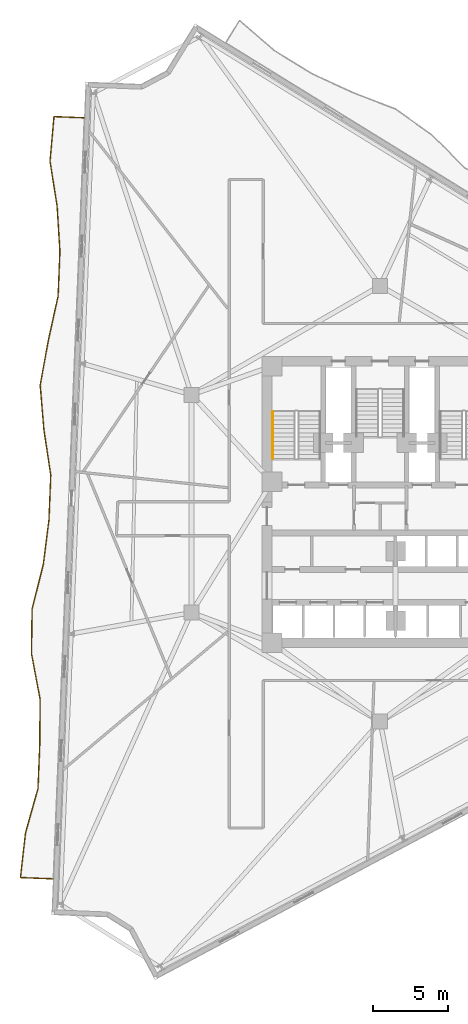
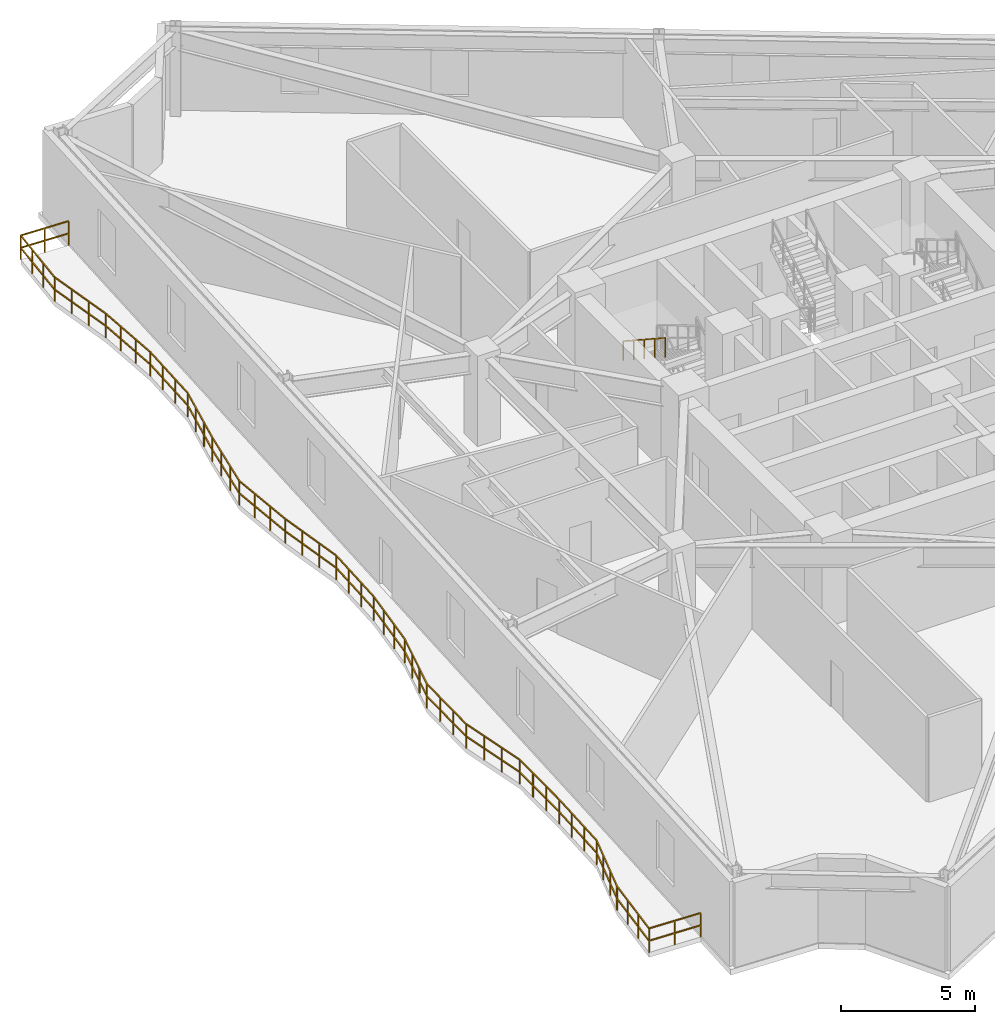
# One storey, part 8 of 10: 2 railings.
"""IFC4 building model written with IfcOpenShell, lengths in metres."""

import ifcopenshell
import ifcopenshell.guid

model = None  # the IFC model being written
_history = None  # IfcOwnerHistory: only IFC2X3 demands one
_inside = {}  # id of a spatial element -> (the spatial element, [elements in it])
_under = {}  # id of a project, library or spatial element -> (it, [spatial elements below it])
_declared = {}  # id of a project -> (the project, [libraries it declares])
_typed = {}  # id of a type object -> (the type object, [elements of that type])
_made_of = {}  # id of a material, layer set ... -> (it, [elements and type objects made of it])


def new_model(schema):
    """Start an empty IFC model of exactly this schema.

    Asked for "IFC4X3", IfcOpenShell would pick the latest addendum, in which some entities
    have other attributes; the version numbers below select the first issue.
    IFC2X3 requires an IfcOwnerHistory on every rooted entity: one is made here for all.
    """
    global model, _history
    if schema == "IFC4X3":
        model = ifcopenshell.file(schema_version=(4, 3, 0, 0))
    else:
        model = ifcopenshell.file(schema=schema)
    _inside.clear()
    _under.clear()
    _declared.clear()
    _typed.clear()
    _made_of.clear()
    _history = None
    if model.schema == "IFC2X3":
        org = make("IfcOrganization", Name="unknown")
        user = make(
            "IfcPersonAndOrganization",
            ThePerson=make("IfcPerson", FamilyName="unknown"),
            TheOrganization=org,
        )
        app = make(
            "IfcApplication",
            ApplicationDeveloper=org,
            Version="unknown",
            ApplicationFullName="unknown",
            ApplicationIdentifier="unknown",
        )
        _history = make(
            "IfcOwnerHistory",
            OwningUser=user,
            OwningApplication=app,
            ChangeAction="ADDED",
            CreationDate=0,
        )
    return model


def make(cls, **values):
    """One entity of the class cls with the attributes given. An attribute that is None is left unset."""
    return model.create_entity(
        cls, **{name: value for name, value in values.items() if value is not None}
    )


def rooted(cls, **values):
    """An entity with a GlobalId (a new one), such as an element, a storey or a relation."""
    return make(cls, GlobalId=ifcopenshell.guid.new(), OwnerHistory=_history, **values)


def si_unit(unit_type, name, prefix=None):
    """IfcSIUnit, for example si_unit("LENGTHUNIT", "METRE", prefix="MILLI")."""
    return make("IfcSIUnit", UnitType=unit_type, Prefix=prefix, Name=name)


def assignment(units):
    """IfcUnitAssignment: the units of a project."""
    return None if units is None else make("IfcUnitAssignment", Units=units)


def point(xyz):
    """IfcCartesianPoint."""
    return None if xyz is None else make("IfcCartesianPoint", Coordinates=xyz)


def direction(xyz):
    """IfcDirection."""
    return None if xyz is None else make("IfcDirection", DirectionRatios=xyz)


def frame(location, z_axis=None, x_axis=None):
    """IfcAxis2Placement3D, a coordinate frame: its origin and axes. An axis left out is left unset."""
    return make(
        "IfcAxis2Placement3D",
        Location=point(location),
        Axis=direction(z_axis),
        RefDirection=direction(x_axis),
    )


def frame_2d(location, x_axis=None):
    """IfcAxis2Placement2D, a coordinate frame in the plane: its origin and x axis."""
    return make(
        "IfcAxis2Placement2D", Location=point(location), RefDirection=direction(x_axis)
    )


def origin():
    """The frame at (0, 0, 0) with its axes left unset."""
    return frame((0.0, 0.0, 0.0))


def origin_2d():
    """The frame at (0, 0) in the plane with its x axis left unset."""
    return frame_2d((0.0, 0.0))


def place(relative_to, where):
    """IfcLocalPlacement: puts the frame where relative to a parent placement (None: the world)."""
    return make(
        "IfcLocalPlacement", PlacementRelTo=relative_to, RelativePlacement=where
    )


def context(
    kind, dimensions, precision=None, world=None, true_north=None, identifier=None
):
    """IfcGeometricRepresentationContext, for example the 3D "Model" context."""
    return make(
        "IfcGeometricRepresentationContext",
        ContextIdentifier=identifier,
        ContextType=kind,
        CoordinateSpaceDimension=dimensions,
        Precision=precision,
        WorldCoordinateSystem=world,
        TrueNorth=true_north,
    )


def subcontext(parent, identifier, kind, view, scale=None):
    """IfcGeometricRepresentationSubContext, for example "Body" below "Model"."""
    return make(
        "IfcGeometricRepresentationSubContext",
        ContextIdentifier=identifier,
        ContextType=kind,
        ParentContext=parent,
        TargetScale=scale,
        TargetView=view,
    )


def project(units=None, contexts=None):
    """IfcProject with its units and contexts."""
    return rooted(
        "IfcProject",
        Name="project",
        RepresentationContexts=contexts,
        UnitsInContext=assignment(units),
    )


def spatial(cls, under=None, at=None, **own):
    """A site, building, storey or space (cls), placed at a placement, below another one or the project."""
    s = rooted(cls, ObjectPlacement=at, **own)
    if under is not None:
        _under.setdefault(under.id(), (under, []))[1].append(s)
    return s


def profile(cls, at=None, kind="AREA", **sizes):
    """A parametric profile (cls). Its sizes go by their IFC names, for example OverallWidth=200.0."""
    return make(cls, ProfileType=kind, Position=at, **sizes)


def rectangle(**sizes):
    """IfcRectangleProfileDef."""
    return profile("IfcRectangleProfileDef", **sizes)


def extrude(swept, where, along, depth):
    """IfcExtrudedAreaSolid: the profile swept, set in the frame where, extruded along a direction by depth."""
    return make(
        "IfcExtrudedAreaSolid",
        SweptArea=swept,
        Position=where,
        ExtrudedDirection=direction(along),
        Depth=depth,
    )


def shape(context_of_items, identifier, shape_type, items):
    """IfcShapeRepresentation: the items that make up one representation, for example the "Body"."""
    return make(
        "IfcShapeRepresentation",
        ContextOfItems=context_of_items,
        RepresentationIdentifier=identifier,
        RepresentationType=shape_type,
        Items=items,
    )


def material(Name=None, Category=None):
    """IfcMaterial."""
    return make("IfcMaterial", Name=Name, Category=Category)


def made_of(thing, what):
    """Note that an element or type object is made of a material, layer set ...; save() writes the relation."""
    if what is not None:
        _made_of.setdefault(what.id(), (what, []))[1].append(thing)
    return thing


def type_object(cls, material=None, **own):
    """A type object (cls), such as IfcWallType, which elements share."""
    return made_of(rooted(cls, **own), material)


def element(
    cls,
    number,
    at=None,
    inside=None,
    cuts=None,
    type_object=None,
    material=None,
    context=None,
    identifier="Body",
    shape_type=None,
    held_by="IfcProductDefinitionShape",
    body=None,
    shapes=None,
    **own,
):
    """One element of the class cls, such as IfcWall. Its Tag is "e" and its number.

    at: its placement. inside: the storey or other place that contains it. cuts: it is an
    opening in that element (IfcRelVoidsElement). A single representation is given by context,
    identifier, shape_type and body (its items); several are given by shapes. held_by: the class
    of the entity that holds the representations. save() writes the other relations.
    """
    e = rooted(cls, Tag="e%d" % number, ObjectPlacement=at, **own)
    if body is not None:
        shapes = [shape(context, identifier, shape_type, body)]
    if shapes is not None:
        e.Representation = make(held_by, Representations=shapes)
    if inside is not None:
        _inside.setdefault(inside.id(), (inside, []))[1].append(e)
    if cuts is not None:
        rooted(
            "IfcRelVoidsElement", RelatingBuildingElement=cuts, RelatedOpeningElement=e
        )
    if type_object is not None:
        _typed.setdefault(type_object.id(), (type_object, []))[1].append(e)
    return made_of(e, material)


def aggregate(whole, parts):
    """IfcRelAggregates: a whole, such as a stair, and the parts it consists of."""
    return rooted("IfcRelAggregates", RelatingObject=whole, RelatedObjects=parts)


def save(model, path):
    """Write the relations noted so far, then the file.

    IfcRelAggregates (storeys below a building ...), IfcRelContainedInSpatialStructure (elements
    in a storey), IfcRelDefinesByType, IfcRelAssociatesMaterial and IfcRelDeclares: one each for
    every whole, place, type object, material and project.
    """
    for whole, parts in _under.values():
        aggregate(whole, parts)
    for where, things in _inside.values():
        rooted(
            "IfcRelContainedInSpatialStructure",
            RelatedElements=things,
            RelatingStructure=where,
        )
    for kind, things in _typed.values():
        rooted("IfcRelDefinesByType", RelatedObjects=things, RelatingType=kind)
    for what, things in _made_of.values():
        rooted("IfcRelAssociatesMaterial", RelatedObjects=things, RelatingMaterial=what)
    for by, libraries in _declared.values():
        rooted("IfcRelDeclares", RelatingContext=by, RelatedDefinitions=libraries)
    model.write(path)


model = new_model("IFC4")

# Units and contexts
model_context = context("Model", 3, precision=1e-05, world=origin(), true_north=direction((0.0, 1.0)))
body_context = subcontext(model_context, "Body", "Model", "MODEL_VIEW")
ifc_project = project(units=[si_unit("LENGTHUNIT", "METRE"), si_unit("AREAUNIT", "SQUARE_METRE"), si_unit("VOLUMEUNIT", "CUBIC_METRE"), si_unit("PLANEANGLEUNIT", "RADIAN"), si_unit("MASSUNIT", "GRAM", prefix="KILO")], contexts=[model_context])

# Site, building, storey
site_placement = place(None, origin())
site = spatial("IfcSite", under=ifc_project, at=site_placement, CompositionType="ELEMENT")
building_placement = place(site_placement, origin())
building = spatial("IfcBuilding", under=site, at=building_placement, Name="Apsidion Concourse Tower", CompositionType="ELEMENT")
storey_placement = place(building_placement, frame((0.0, 0.0, 177.800048828125)))
storey = spatial("IfcBuildingStorey", under=building, at=storey_placement, Name="L41", CompositionType="ELEMENT", Elevation=177.800048828125)

# Railings
ifc_material = material(Name="Brushed stainless steel 316", Category="steel")
railing_type_1 = type_object("IfcRailingType", Name="RL-BAL-1120", PredefinedType="BALUSTRADE", material=ifc_material)
railing_1_placement = place(storey_placement, frame((-21.777587890625, -24.97802734375, 0.0)))
element("IfcRailing", 1, at=railing_1_placement, inside=storey, type_object=railing_type_1, Name="L41 Face 1 Rippling Balcony Balustrade", PredefinedType="BALUSTRADE", context=body_context, shape_type="SweptSolid", body=[
    extrude(rectangle(XDim=0.048095703125, YDim=0.048095703125, at=origin_2d()), frame((0.0, 0.0, 1.09619140625), z_axis=(-0.999169266347, 0.040752634122, 0.0), x_axis=(-0.040752634122, -0.999169266347, 0.0)), (0.0, 0.0, 1.0), 2.174560546875),
    extrude(rectangle(XDim=0.048095703125, YDim=0.048095703125, at=origin_2d()), frame((0.0, 0.0, 0.5361328125), z_axis=(-0.999169266347, 0.040752634122, 0.0), x_axis=(-0.040752634122, -0.999169266347, 0.0)), (0.0, 0.0, 1.0), 2.174560546875),
    extrude(rectangle(XDim=0.048095703125, YDim=0.048095703125, at=origin_2d()), frame((-2.1728515625, 0.088623046875, 1.09619140625), z_axis=(0.113136795699, 0.993579420811, 0.0), x_axis=(-0.993579420811, 0.113136795699, 0.0)), (0.0, 0.0, 1.0), 2.990966796875),
    extrude(rectangle(XDim=0.048095703125, YDim=0.048095703125, at=origin_2d()), frame((-2.1728515625, 0.088623046875, 0.5361328125), z_axis=(0.113136795699, 0.993579420811, 0.0), x_axis=(-0.993579420811, 0.113136795699, 0.0)), (0.0, 0.0, 1.0), 2.990966796875),
    extrude(rectangle(XDim=0.048095703125, YDim=0.048095703125, at=origin_2d()), frame((-1.83447265625, 3.060302734375, 1.09619140625), z_axis=(0.270427325852, 0.962740391504, 0.0), x_axis=(-0.962740391504, 0.270427325852, 0.0)), (0.0, 0.0, 1.0), 3.06591796875),
    extrude(rectangle(XDim=0.048095703125, YDim=0.048095703125, at=origin_2d()), frame((-1.83447265625, 3.060302734375, 0.5361328125), z_axis=(0.270427325852, 0.962740391504, 0.0), x_axis=(-0.962740391504, 0.270427325852, 0.0)), (0.0, 0.0, 1.0), 3.06591796875),
    extrude(rectangle(XDim=0.048095703125, YDim=0.048095703125, at=origin_2d()), frame((-1.00537109375, 6.011962890625, 1.09619140625), z_axis=(0.040840733039, 0.999165669209, 0.0), x_axis=(-0.999165669209, 0.040840733039, 0.0)), (0.0, 0.0, 1.0), 2.98291015625),
    extrude(rectangle(XDim=0.048095703125, YDim=0.048095703125, at=origin_2d()), frame((-1.00537109375, 6.011962890625, 0.5361328125), z_axis=(0.040840733039, 0.999165669209, 0.0), x_axis=(-0.999165669209, 0.040840733039, 0.0)), (0.0, 0.0, 1.0), 2.98291015625),
    extrude(rectangle(XDim=0.048095703125, YDim=0.048095703125, at=origin_2d()), frame((-0.883544921875, 8.992431640625, 1.09619140625), z_axis=(0.005807673015, 0.999983135325, 0.0), x_axis=(-0.999983135325, 0.005807673015, 0.0)), (0.0, 0.0, 1.0), 2.984619140625),
    extrude(rectangle(XDim=0.048095703125, YDim=0.048095703125, at=origin_2d()), frame((-0.883544921875, 8.992431640625, 0.5361328125), z_axis=(0.005807673015, 0.999983135325, 0.0), x_axis=(-0.999983135325, 0.005807673015, 0.0)), (0.0, 0.0, 1.0), 2.984619140625),
    extrude(rectangle(XDim=0.048095703125, YDim=0.048095703125, at=origin_2d()), frame((-0.8662109375, 11.97705078125, 1.09619140625), z_axis=(-0.185617039499, 0.982622162709, 0.0), x_axis=(-0.982622162709, -0.185617039499, 0.0)), (0.0, 0.0, 1.0), 3.06201171875),
    extrude(rectangle(XDim=0.048095703125, YDim=0.048095703125, at=origin_2d()), frame((-0.8662109375, 11.97705078125, 0.5361328125), z_axis=(-0.185617039499, 0.982622162709, 0.0), x_axis=(-0.982622162709, -0.185617039499, 0.0)), (0.0, 0.0, 1.0), 3.06201171875),
    extrude(rectangle(XDim=0.048095703125, YDim=0.048095703125, at=origin_2d()), frame((-1.4345703125, 14.98583984375, 1.09619140625), z_axis=(0.012190224904, 0.999925696448, 0.0), x_axis=(-0.999925696448, 0.012190224904, 0.0)), (0.0, 0.0, 1.0), 2.984130859375),
    extrude(rectangle(XDim=0.048095703125, YDim=0.048095703125, at=origin_2d()), frame((-1.4345703125, 14.98583984375, 0.5361328125), z_axis=(0.012190224904, 0.999925696448, 0.0), x_axis=(-0.999925696448, 0.012190224904, 0.0)), (0.0, 0.0, 1.0), 2.984130859375),
    extrude(rectangle(XDim=0.048095703125, YDim=0.048095703125, at=origin_2d()), frame((-1.398193359375, 17.9697265625, 1.09619140625), z_axis=(0.244495466679, 0.969650435349, 0.0), x_axis=(-0.969650435349, 0.244495466679, 0.0)), (0.0, 0.0, 1.0), 3.047607421875),
    extrude(rectangle(XDim=0.048095703125, YDim=0.048095703125, at=origin_2d()), frame((-1.398193359375, 17.9697265625, 0.5361328125), z_axis=(0.244495466679, 0.969650435349, 0.0), x_axis=(-0.969650435349, 0.244495466679, 0.0)), (0.0, 0.0, 1.0), 3.047607421875),
    extrude(rectangle(XDim=0.048095703125, YDim=0.048095703125, at=origin_2d()), frame((-0.653076171875, 20.9248046875, 1.09619140625), z_axis=(0.126312639311, 0.991990482389, 0.0), x_axis=(-0.991990482389, 0.126312639311, 0.0)), (0.0, 0.0, 1.0), 2.993896484375),
    extrude(rectangle(XDim=0.048095703125, YDim=0.048095703125, at=origin_2d()), frame((-0.653076171875, 20.9248046875, 0.5361328125), z_axis=(0.126312639311, 0.991990482389, 0.0), x_axis=(-0.991990482389, 0.126312639311, 0.0)), (0.0, 0.0, 1.0), 2.993896484375),
    extrude(rectangle(XDim=0.048095703125, YDim=0.048095703125, at=origin_2d()), frame((-0.27490234375, 23.894775390625, 1.09619140625), z_axis=(0.040759023988, 0.999169005706, 0.0), x_axis=(-0.999169005706, 0.040759023988, 0.0)), (0.0, 0.0, 1.0), 2.98291015625),
    extrude(rectangle(XDim=0.048095703125, YDim=0.048095703125, at=origin_2d()), frame((-0.27490234375, 23.894775390625, 0.5361328125), z_axis=(0.040759023988, 0.999169005706, 0.0), x_axis=(-0.999169005706, 0.040759023988, 0.0)), (0.0, 0.0, 1.0), 2.98291015625),
    extrude(rectangle(XDim=0.048095703125, YDim=0.048095703125, at=origin_2d()), frame((-0.1533203125, 26.875244140625, 1.09619140625), z_axis=(-0.149460219073, 0.988767739621, 0.0), x_axis=(-0.988767739621, -0.149460219073, 0.0)), (0.0, 0.0, 1.0), 3.038330078125),
    extrude(rectangle(XDim=0.048095703125, YDim=0.048095703125, at=origin_2d()), frame((-0.1533203125, 26.875244140625, 0.5361328125), z_axis=(-0.149460219073, 0.988767739621, 0.0), x_axis=(-0.988767739621, -0.149460219073, 0.0)), (0.0, 0.0, 1.0), 3.038330078125),
    extrude(rectangle(XDim=0.048095703125, YDim=0.048095703125, at=origin_2d()), frame((-0.607421875, 29.87939453125, 1.09619140625), z_axis=(-0.083489073843, 0.996508692661, 0.0), x_axis=(-0.996508692661, -0.083489073843, 0.0)), (0.0, 0.0, 1.0), 3.006103515625),
    extrude(rectangle(XDim=0.048095703125, YDim=0.048095703125, at=origin_2d()), frame((-0.607421875, 29.87939453125, 0.5361328125), z_axis=(-0.083489073843, 0.996508692661, 0.0), x_axis=(-0.996508692661, -0.083489073843, 0.0)), (0.0, 0.0, 1.0), 3.006103515625),
    extrude(rectangle(XDim=0.048095703125, YDim=0.048095703125, at=origin_2d()), frame((-0.8583984375, 32.875, 1.09619140625), z_axis=(0.17999071628, 0.98366830896, 0.0), x_axis=(-0.98366830896, 0.17999071628, 0.0)), (0.0, 0.0, 1.0), 3.0126953125),
    extrude(rectangle(XDim=0.048095703125, YDim=0.048095703125, at=origin_2d()), frame((-0.8583984375, 32.875, 0.5361328125), z_axis=(0.17999071628, 0.98366830896, 0.0), x_axis=(-0.98366830896, 0.17999071628, 0.0)), (0.0, 0.0, 1.0), 3.0126953125),
    extrude(rectangle(XDim=0.048095703125, YDim=0.048095703125, at=origin_2d()), frame((-0.316162109375, 35.83837890625, 1.09619140625), z_axis=(0.214523554999, 0.976718815397, 0.0), x_axis=(-0.976718815397, 0.214523554999, 0.0)), (0.0, 0.0, 1.0), 3.029541015625),
    extrude(rectangle(XDim=0.048095703125, YDim=0.048095703125, at=origin_2d()), frame((-0.316162109375, 35.83837890625, 0.5361328125), z_axis=(0.214523554999, 0.976718815397, 0.0), x_axis=(-0.976718815397, 0.214523554999, 0.0)), (0.0, 0.0, 1.0), 3.029541015625),
    extrude(rectangle(XDim=0.048095703125, YDim=0.048095703125, at=origin_2d()), frame((0.333740234375, 38.79736328125, 1.09619140625), z_axis=(0.040840733039, 0.999165669209, 0.0), x_axis=(-0.999165669209, 0.040840733039, 0.0)), (0.0, 0.0, 1.0), 2.98291015625),
    extrude(rectangle(XDim=0.048095703125, YDim=0.048095703125, at=origin_2d()), frame((0.333740234375, 38.79736328125, 0.5361328125), z_axis=(0.040840733039, 0.999165669209, 0.0), x_axis=(-0.999165669209, 0.040840733039, 0.0)), (0.0, 0.0, 1.0), 2.98291015625),
    extrude(rectangle(XDim=0.048095703125, YDim=0.048095703125, at=origin_2d()), frame((0.45556640625, 41.77783203125, 1.09619140625), z_axis=(-0.062281982502, 0.998058592797, 0.0), x_axis=(-0.998058592797, -0.062281982502, 0.0)), (0.0, 0.0, 1.0), 2.998779296875),
    extrude(rectangle(XDim=0.048095703125, YDim=0.048095703125, at=origin_2d()), frame((0.45556640625, 41.77783203125, 0.5361328125), z_axis=(-0.062281982502, 0.998058592797, 0.0), x_axis=(-0.998058592797, -0.062281982502, 0.0)), (0.0, 0.0, 1.0), 2.998779296875),
    extrude(rectangle(XDim=0.048095703125, YDim=0.048095703125, at=origin_2d()), frame((0.268798828125, 44.770751953125, 1.09619140625), z_axis=(-0.154915542292, 0.987927717374, 0.0), x_axis=(-0.987927717374, -0.154915542292, 0.0)), (0.0, 0.0, 1.0), 3.04150390625),
    extrude(rectangle(XDim=0.048095703125, YDim=0.048095703125, at=origin_2d()), frame((0.268798828125, 44.770751953125, 0.5361328125), z_axis=(-0.154915542292, 0.987927717374, 0.0), x_axis=(-0.987927717374, -0.154915542292, 0.0)), (0.0, 0.0, 1.0), 3.04150390625),
    extrude(rectangle(XDim=0.048095703125, YDim=0.048095703125, at=origin_2d()), frame((-0.202392578125, 47.775634765625, 1.09619140625), z_axis=(0.08845687525, 0.99608000744, 0.0), x_axis=(-0.99608000744, 0.08845687525, 0.0)), (0.0, 0.0, 1.0), 2.986328125),
    extrude(rectangle(XDim=0.048095703125, YDim=0.048095703125, at=origin_2d()), frame((-0.202392578125, 47.775634765625, 0.5361328125), z_axis=(0.08845687525, 0.99608000744, 0.0), x_axis=(-0.99608000744, 0.08845687525, 0.0)), (0.0, 0.0, 1.0), 2.986328125),
    extrude(rectangle(XDim=0.048095703125, YDim=0.048095703125, at=origin_2d()), frame((0.061767578125, 50.750244140625, 1.09619140625), z_axis=(0.999166435764, -0.040821975002, 0.0), x_axis=(0.040821975002, 0.999166435764, 0.0)), (0.0, 0.0, 1.0), 2.009521484375),
    extrude(rectangle(XDim=0.048095703125, YDim=0.048095703125, at=origin_2d()), frame((0.061767578125, 50.750244140625, 0.5361328125), z_axis=(0.999166435764, -0.040821975002, 0.0), x_axis=(0.040821975002, 0.999166435764, 0.0)), (0.0, 0.0, 1.0), 2.009521484375),
    extrude(rectangle(XDim=0.0419921875, YDim=0.0419921875, at=origin_2d()), origin(), (0.0, 0.0, 1.0), 1.072021484375),
    extrude(rectangle(XDim=0.0419921875, YDim=0.0419921875, at=origin_2d()), frame((-1.08642578125, 0.04443359375, 0.0)), (0.0, 0.0, 1.0), 1.072021484375),
    extrude(rectangle(XDim=0.0419921875, YDim=0.0419921875, at=origin_2d()), frame((-2.1728515625, 0.088623046875, 0.0)), (0.0, 0.0, 1.0), 1.072021484375),
    extrude(rectangle(XDim=0.0419921875, YDim=0.0419921875, at=origin_2d()), frame((-2.06005859375, 1.0791015625, 0.0)), (0.0, 0.0, 1.0), 1.072021484375),
    extrude(rectangle(XDim=0.0419921875, YDim=0.0419921875, at=origin_2d()), frame((-1.947265625, 2.06982421875, 0.0)), (0.0, 0.0, 1.0), 1.072021484375),
    extrude(rectangle(XDim=0.0419921875, YDim=0.0419921875, at=origin_2d()), frame((-1.83447265625, 3.060302734375, 0.0)), (0.0, 0.0, 1.0), 1.072021484375),
    extrude(rectangle(XDim=0.0419921875, YDim=0.0419921875, at=origin_2d()), frame((-1.55810546875, 4.044189453125, 0.0)), (0.0, 0.0, 1.0), 1.072021484375),
    extrude(rectangle(XDim=0.0419921875, YDim=0.0419921875, at=origin_2d()), frame((-1.28173828125, 5.028076171875, 0.0)), (0.0, 0.0, 1.0), 1.072021484375),
    extrude(rectangle(XDim=0.0419921875, YDim=0.0419921875, at=origin_2d()), frame((-1.00537109375, 6.011962890625, 0.0)), (0.0, 0.0, 1.0), 1.072021484375),
    extrude(rectangle(XDim=0.0419921875, YDim=0.0419921875, at=origin_2d()), frame((-0.96484375, 7.00537109375, 0.0)), (0.0, 0.0, 1.0), 1.072021484375),
    extrude(rectangle(XDim=0.0419921875, YDim=0.0419921875, at=origin_2d()), frame((-0.924072265625, 7.9990234375, 0.0)), (0.0, 0.0, 1.0), 1.072021484375),
    extrude(rectangle(XDim=0.0419921875, YDim=0.0419921875, at=origin_2d()), frame((-0.883544921875, 8.992431640625, 0.0)), (0.0, 0.0, 1.0), 1.072021484375),
    extrude(rectangle(XDim=0.0419921875, YDim=0.0419921875, at=origin_2d()), frame((-0.877685546875, 9.9873046875, 0.0)), (0.0, 0.0, 1.0), 1.072021484375),
    extrude(rectangle(XDim=0.0419921875, YDim=0.0419921875, at=origin_2d()), frame((-0.8720703125, 10.982177734375, 0.0)), (0.0, 0.0, 1.0), 1.072021484375),
    extrude(rectangle(XDim=0.0419921875, YDim=0.0419921875, at=origin_2d()), frame((-0.8662109375, 11.97705078125, 0.0)), (0.0, 0.0, 1.0), 1.072021484375),
    extrude(rectangle(XDim=0.0419921875, YDim=0.0419921875, at=origin_2d()), frame((-1.0556640625, 12.97998046875, 0.0)), (0.0, 0.0, 1.0), 1.072021484375),
    extrude(rectangle(XDim=0.0419921875, YDim=0.0419921875, at=origin_2d()), frame((-1.2451171875, 13.98291015625, 0.0)), (0.0, 0.0, 1.0), 1.072021484375),
    extrude(rectangle(XDim=0.0419921875, YDim=0.0419921875, at=origin_2d()), frame((-1.4345703125, 14.98583984375, 0.0)), (0.0, 0.0, 1.0), 1.072021484375),
    extrude(rectangle(XDim=0.0419921875, YDim=0.0419921875, at=origin_2d()), frame((-1.42236328125, 15.98046875, 0.0)), (0.0, 0.0, 1.0), 1.072021484375),
    extrude(rectangle(XDim=0.0419921875, YDim=0.0419921875, at=origin_2d()), frame((-1.410400390625, 16.97509765625, 0.0)), (0.0, 0.0, 1.0), 1.072021484375),
    extrude(rectangle(XDim=0.0419921875, YDim=0.0419921875, at=origin_2d()), frame((-1.398193359375, 17.9697265625, 0.0)), (0.0, 0.0, 1.0), 1.072021484375),
    extrude(rectangle(XDim=0.0419921875, YDim=0.0419921875, at=origin_2d()), frame((-1.14990234375, 18.954833984375, 0.0)), (0.0, 0.0, 1.0), 1.072021484375),
    extrude(rectangle(XDim=0.0419921875, YDim=0.0419921875, at=origin_2d()), frame((-0.9013671875, 19.939697265625, 0.0)), (0.0, 0.0, 1.0), 1.072021484375),
    extrude(rectangle(XDim=0.0419921875, YDim=0.0419921875, at=origin_2d()), frame((-0.653076171875, 20.9248046875, 0.0)), (0.0, 0.0, 1.0), 1.072021484375),
    extrude(rectangle(XDim=0.0419921875, YDim=0.0419921875, at=origin_2d()), frame((-0.527099609375, 21.914794921875, 0.0)), (0.0, 0.0, 1.0), 1.072021484375),
    extrude(rectangle(XDim=0.0419921875, YDim=0.0419921875, at=origin_2d()), frame((-0.40087890625, 22.90478515625, 0.0)), (0.0, 0.0, 1.0), 1.072021484375),
    extrude(rectangle(XDim=0.0419921875, YDim=0.0419921875, at=origin_2d()), frame((-0.27490234375, 23.894775390625, 0.0)), (0.0, 0.0, 1.0), 1.072021484375),
    extrude(rectangle(XDim=0.0419921875, YDim=0.0419921875, at=origin_2d()), frame((-0.234375, 24.88818359375, 0.0)), (0.0, 0.0, 1.0), 1.072021484375),
    extrude(rectangle(XDim=0.0419921875, YDim=0.0419921875, at=origin_2d()), frame((-0.19384765625, 25.8818359375, 0.0)), (0.0, 0.0, 1.0), 1.072021484375),
    extrude(rectangle(XDim=0.0419921875, YDim=0.0419921875, at=origin_2d()), frame((-0.1533203125, 26.875244140625, 0.0)), (0.0, 0.0, 1.0), 1.072021484375),
    extrude(rectangle(XDim=0.0419921875, YDim=0.0419921875, at=origin_2d()), frame((-0.3046875, 27.876708984375, 0.0)), (0.0, 0.0, 1.0), 1.072021484375),
    extrude(rectangle(XDim=0.0419921875, YDim=0.0419921875, at=origin_2d()), frame((-0.4560546875, 28.8779296875, 0.0)), (0.0, 0.0, 1.0), 1.072021484375),
    extrude(rectangle(XDim=0.0419921875, YDim=0.0419921875, at=origin_2d()), frame((-0.607421875, 29.87939453125, 0.0)), (0.0, 0.0, 1.0), 1.072021484375),
    extrude(rectangle(XDim=0.0419921875, YDim=0.0419921875, at=origin_2d()), frame((-0.691162109375, 30.8779296875, 0.0)), (0.0, 0.0, 1.0), 1.072021484375),
    extrude(rectangle(XDim=0.0419921875, YDim=0.0419921875, at=origin_2d()), frame((-0.774658203125, 31.87646484375, 0.0)), (0.0, 0.0, 1.0), 1.072021484375),
    extrude(rectangle(XDim=0.0419921875, YDim=0.0419921875, at=origin_2d()), frame((-0.8583984375, 32.875, 0.0)), (0.0, 0.0, 1.0), 1.072021484375),
    extrude(rectangle(XDim=0.0419921875, YDim=0.0419921875, at=origin_2d()), frame((-0.677734375, 33.86279296875, 0.0)), (0.0, 0.0, 1.0), 1.072021484375),
    extrude(rectangle(XDim=0.0419921875, YDim=0.0419921875, at=origin_2d()), frame((-0.496826171875, 34.8505859375, 0.0)), (0.0, 0.0, 1.0), 1.072021484375),
    extrude(rectangle(XDim=0.0419921875, YDim=0.0419921875, at=origin_2d()), frame((-0.316162109375, 35.83837890625, 0.0)), (0.0, 0.0, 1.0), 1.072021484375),
    extrude(rectangle(XDim=0.0419921875, YDim=0.0419921875, at=origin_2d()), frame((-0.099609375, 36.82470703125, 0.0)), (0.0, 0.0, 1.0), 1.072021484375),
    extrude(rectangle(XDim=0.0419921875, YDim=0.0419921875, at=origin_2d()), frame((0.1171875, 37.81103515625, 0.0)), (0.0, 0.0, 1.0), 1.072021484375),
    extrude(rectangle(XDim=0.0419921875, YDim=0.0419921875, at=origin_2d()), frame((0.333740234375, 38.79736328125, 0.0)), (0.0, 0.0, 1.0), 1.072021484375),
    extrude(rectangle(XDim=0.0419921875, YDim=0.0419921875, at=origin_2d()), frame((0.374267578125, 39.790771484375, 0.0)), (0.0, 0.0, 1.0), 1.072021484375),
    extrude(rectangle(XDim=0.0419921875, YDim=0.0419921875, at=origin_2d()), frame((0.4150390625, 40.784423828125, 0.0)), (0.0, 0.0, 1.0), 1.072021484375),
    extrude(rectangle(XDim=0.0419921875, YDim=0.0419921875, at=origin_2d()), frame((0.45556640625, 41.77783203125, 0.0)), (0.0, 0.0, 1.0), 1.072021484375),
    extrude(rectangle(XDim=0.0419921875, YDim=0.0419921875, at=origin_2d()), frame((0.393310546875, 42.775390625, 0.0)), (0.0, 0.0, 1.0), 1.072021484375),
    extrude(rectangle(XDim=0.0419921875, YDim=0.0419921875, at=origin_2d()), frame((0.3310546875, 43.773193359375, 0.0)), (0.0, 0.0, 1.0), 1.072021484375),
    extrude(rectangle(XDim=0.0419921875, YDim=0.0419921875, at=origin_2d()), frame((0.268798828125, 44.770751953125, 0.0)), (0.0, 0.0, 1.0), 1.072021484375),
    extrude(rectangle(XDim=0.0419921875, YDim=0.0419921875, at=origin_2d()), frame((0.11181640625, 45.7724609375, 0.0)), (0.0, 0.0, 1.0), 1.072021484375),
    extrude(rectangle(XDim=0.0419921875, YDim=0.0419921875, at=origin_2d()), frame((-0.04541015625, 46.77392578125, 0.0)), (0.0, 0.0, 1.0), 1.072021484375),
    extrude(rectangle(XDim=0.0419921875, YDim=0.0419921875, at=origin_2d()), frame((-0.202392578125, 47.775634765625, 0.0)), (0.0, 0.0, 1.0), 1.072021484375),
    extrude(rectangle(XDim=0.0419921875, YDim=0.0419921875, at=origin_2d()), frame((-0.1142578125, 48.76708984375, 0.0)), (0.0, 0.0, 1.0), 1.072021484375),
    extrude(rectangle(XDim=0.0419921875, YDim=0.0419921875, at=origin_2d()), frame((-0.0263671875, 49.7587890625, 0.0)), (0.0, 0.0, 1.0), 1.072021484375),
    extrude(rectangle(XDim=0.0419921875, YDim=0.0419921875, at=origin_2d()), frame((0.061767578125, 50.750244140625, 0.0)), (0.0, 0.0, 1.0), 1.072021484375),
    extrude(rectangle(XDim=0.0419921875, YDim=0.0419921875, at=origin_2d()), frame((1.065673828125, 50.709228515625, 0.0)), (0.0, 0.0, 1.0), 1.072021484375),
    extrude(rectangle(XDim=0.0419921875, YDim=0.0419921875, at=origin_2d()), frame((2.069580078125, 50.668212890625, 0.0)), (0.0, 0.0, 1.0), 1.072021484375),
])
railing_type_2 = type_object("IfcRailingType", Name="RL-HAND-900", PredefinedType="HANDRAIL", material=ifc_material)
railing_2_placement = place(storey_placement, frame((-7.14990234375, 6.135009765625, 2.220703125)))
element("IfcRailing", 2, at=railing_2_placement, inside=storey, type_object=railing_type_2, Name="L41 ST1 stair handrail 2", PredefinedType="HANDRAIL", context=body_context, shape_type="SweptSolid", body=[
    extrude(rectangle(XDim=0.048095703125, YDim=0.048095703125, at=origin_2d()), frame((0.0, 0.0, 0.8759765625), z_axis=(0.0, -0.836940907821, 0.547293263996), x_axis=(1.0, 0.0, 0.0)), (0.0, 0.0, 1.0), 3.745849609375),
    extrude(rectangle(XDim=0.0419921875, YDim=0.0419921875, at=origin_2d()), origin(), (0.0, 0.0, 1.0), 0.851806640625),
    extrude(rectangle(XDim=0.0419921875, YDim=0.0419921875, at=origin_2d()), frame((0.0, -0.78369140625, 0.512451171875)), (0.0, 0.0, 1.0), 0.851806640625),
    extrude(rectangle(XDim=0.0419921875, YDim=0.0419921875, at=origin_2d()), frame((0.0, -1.5673828125, 1.02490234375)), (0.0, 0.0, 1.0), 0.851806640625),
    extrude(rectangle(XDim=0.0419921875, YDim=0.0419921875, at=origin_2d()), frame((0.0, -2.351318359375, 1.53759765625)), (0.0, 0.0, 1.0), 0.851806640625),
    extrude(rectangle(XDim=0.0419921875, YDim=0.0419921875, at=origin_2d()), frame((0.0, -3.135009765625, 2.050048828125)), (0.0, 0.0, 1.0), 0.851806640625),
])

save(model, "model.ifc")
